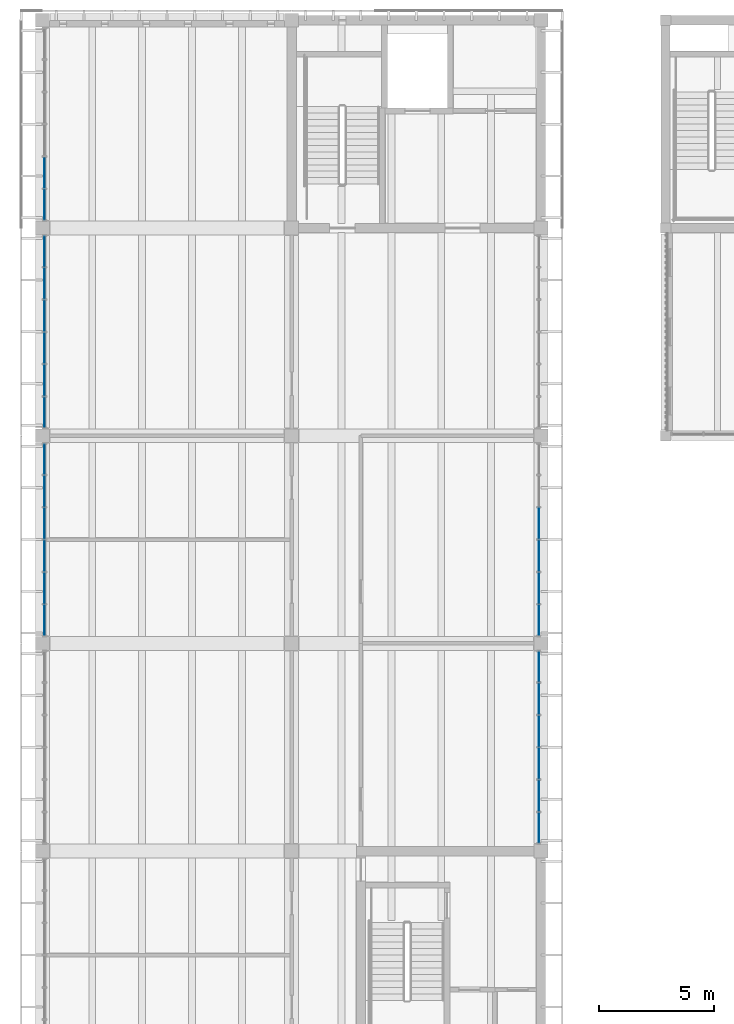
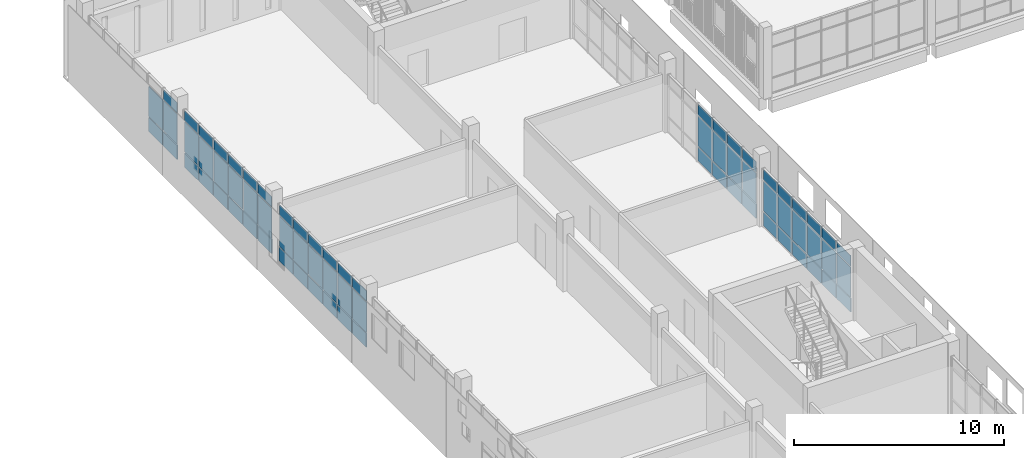
# One storey, part 43 of 88: 71 plates, 5 elements without a shape of their own.
"""IFC4 building model written with IfcOpenShell, lengths in metres."""

from ifc_helpers import new_model, si_unit, direction, frame, origin, origin_2d, place, context, subcontext, project, spatial, rectangle, extrude, material, layer, layer_set, type_object, element, aggregate, save


model = new_model("IFC4")

# Units and contexts
model_context = context("Model", 3, precision=1e-05, world=origin(), true_north=direction((0.0, 1.0)))
body_context = subcontext(model_context, "Body", "Model", "MODEL_VIEW")
ifc_project = project(units=[si_unit("LENGTHUNIT", "METRE"), si_unit("AREAUNIT", "SQUARE_METRE"), si_unit("VOLUMEUNIT", "CUBIC_METRE"), si_unit("PLANEANGLEUNIT", "RADIAN"), si_unit("MASSUNIT", "GRAM", prefix="KILO")], contexts=[model_context])

# Site, building, storey
site_placement = place(None, origin())
site = spatial("IfcSite", under=ifc_project, at=site_placement, CompositionType="ELEMENT")
building_placement = place(site_placement, origin())
building = spatial("IfcBuilding", under=site, at=building_placement, Name="Merrow Basin Faculty of Sciences", CompositionType="ELEMENT")
storey_placement = place(building_placement, frame((0.0, 0.0, 9.0)))
storey = spatial("IfcBuildingStorey", under=building, at=storey_placement, Name="L02", CompositionType="ELEMENT", Elevation=9.0)

# Curtain wall, plates
ifc_material_1 = material(Name="Aluminium alloy 6063", Category="aluminium")
curtain_wall_type = type_object("IfcCurtainWallType", Name="Bar unitised curtain wall 180", PredefinedType="NOTDEFINED", material=ifc_material_1)
curtain_wall_1_placement = place(storey_placement, origin())
curtain_wall_1 = element("IfcCurtainWall", 1, at=curtain_wall_1_placement, inside=storey, type_object=curtain_wall_type, Name="West curtain wall L02 5", PredefinedType="NOTDEFINED")
ifc_material_2 = material(Name="Insulated aluminium spandrel panel", Category="aluminium")
ifc_layer_1 = layer(ifc_material_2, 0.052001953125)
ifc_layer_set_1 = layer_set([ifc_layer_1], Name="Insulated spandrel panel 52")
plate_type_1 = type_object("IfcPlateType", Name="Insulated spandrel panel 52", PredefinedType="CURTAIN_PANEL", material=ifc_layer_set_1)
plate_1_placement = place(storey_placement, frame((0.090087890625, 107.014892578125, 0.06005859375), z_axis=(0.0, 0.0, 1.0), x_axis=(0.0, 1.0, 0.0)))
plate_1 = element("IfcPlate", 2, at=plate_1_placement, type_object=plate_type_1, Name="CW1 panel 1.1", PredefinedType="CURTAIN_PANEL", context=body_context, shape_type="SweptSolid", body=[
    extrude(rectangle(XDim=1.31005859375, YDim=0.052001953125, at=origin_2d()), origin(), (0.0, 0.0, 1.0), 0.81005859375),
])
plate_2_placement = place(storey_placement, frame((0.090087890625, 108.39990234375, 0.06005859375), z_axis=(0.0, 0.0, 1.0), x_axis=(0.0, 1.0, 0.0)))
plate_2 = element("IfcPlate", 3, at=plate_2_placement, type_object=plate_type_1, Name="CW1 panel 2.1", PredefinedType="CURTAIN_PANEL", context=body_context, shape_type="SweptSolid", body=[
    extrude(rectangle(XDim=1.340087890625, YDim=0.052001953125, at=origin_2d()), origin(), (0.0, 0.0, 1.0), 0.81005859375),
])
plate_3_placement = place(storey_placement, frame((0.090087890625, 109.800048828125, 0.06005859375), z_axis=(0.0, 0.0, 1.0), x_axis=(0.0, 1.0, 0.0)))
plate_3 = element("IfcPlate", 4, at=plate_3_placement, type_object=plate_type_1, Name="CW1 panel 3.1", PredefinedType="CURTAIN_PANEL", context=body_context, shape_type="SweptSolid", body=[
    extrude(rectangle(XDim=1.340087890625, YDim=0.052001953125, at=origin_2d()), origin(), (0.0, 0.0, 1.0), 0.81005859375),
])
plate_4_placement = place(storey_placement, frame((0.090087890625, 111.199951171875, 0.06005859375), z_axis=(0.0, 0.0, 1.0), x_axis=(0.0, 1.0, 0.0)))
plate_4 = element("IfcPlate", 5, at=plate_4_placement, type_object=plate_type_1, Name="CW1 panel 4.1", PredefinedType="CURTAIN_PANEL", context=body_context, shape_type="SweptSolid", body=[
    extrude(rectangle(XDim=1.340087890625, YDim=0.052001953125, at=origin_2d()), origin(), (0.0, 0.0, 1.0), 0.81005859375),
])
plate_5_placement = place(storey_placement, frame((0.090087890625, 112.60009765625, 0.06005859375), z_axis=(0.0, 0.0, 1.0), x_axis=(0.0, 1.0, 0.0)))
plate_5 = element("IfcPlate", 6, at=plate_5_placement, type_object=plate_type_1, Name="CW1 panel 5.1", PredefinedType="CURTAIN_PANEL", context=body_context, shape_type="SweptSolid", body=[
    extrude(rectangle(XDim=1.340087890625, YDim=0.052001953125, at=origin_2d()), origin(), (0.0, 0.0, 1.0), 0.81005859375),
])
plate_6_placement = place(storey_placement, frame((0.090087890625, 113.985107421875, 0.06005859375), z_axis=(0.0, 0.0, 1.0), x_axis=(0.0, 1.0, 0.0)))
plate_6 = element("IfcPlate", 7, at=plate_6_placement, type_object=plate_type_1, Name="CW1 panel 6.1", PredefinedType="CURTAIN_PANEL", context=body_context, shape_type="SweptSolid", body=[
    extrude(rectangle(XDim=1.31005859375, YDim=0.052001953125, at=origin_2d()), origin(), (0.0, 0.0, 1.0), 0.81005859375),
])

curtain_wall_2_placement = place(storey_placement, origin())
curtain_wall_2 = element("IfcCurtainWall", 8, at=curtain_wall_2_placement, inside=storey, type_object=curtain_wall_type, Name="West curtain wall L02 6", PredefinedType="NOTDEFINED")
plate_7_placement = place(storey_placement, frame((0.090087890625, 116.014892578125, 0.06005859375), z_axis=(0.0, 0.0, 1.0), x_axis=(0.0, 1.0, 0.0)))
plate_7 = element("IfcPlate", 9, at=plate_7_placement, type_object=plate_type_1, Name="CW1 panel 1.1", PredefinedType="CURTAIN_PANEL", context=body_context, shape_type="SweptSolid", body=[
    extrude(rectangle(XDim=1.31005859375, YDim=0.052001953125, at=origin_2d()), origin(), (0.0, 0.0, 1.0), 0.81005859375),
])
plate_8_placement = place(storey_placement, frame((0.090087890625, 117.39990234375, 0.06005859375), z_axis=(0.0, 0.0, 1.0), x_axis=(0.0, 1.0, 0.0)))
plate_8 = element("IfcPlate", 10, at=plate_8_placement, type_object=plate_type_1, Name="CW1 panel 2.1", PredefinedType="CURTAIN_PANEL", context=body_context, shape_type="SweptSolid", body=[
    extrude(rectangle(XDim=1.340087890625, YDim=0.052001953125, at=origin_2d()), origin(), (0.0, 0.0, 1.0), 0.81005859375),
])
plate_9_placement = place(storey_placement, frame((0.090087890625, 118.800048828125, 0.06005859375), z_axis=(0.0, 0.0, 1.0), x_axis=(0.0, 1.0, 0.0)))
plate_9 = element("IfcPlate", 11, at=plate_9_placement, type_object=plate_type_1, Name="CW1 panel 3.1", PredefinedType="CURTAIN_PANEL", context=body_context, shape_type="SweptSolid", body=[
    extrude(rectangle(XDim=1.340087890625, YDim=0.052001953125, at=origin_2d()), origin(), (0.0, 0.0, 1.0), 0.81005859375),
])
plate_10_placement = place(storey_placement, frame((0.090087890625, 120.199951171875, 0.06005859375), z_axis=(0.0, 0.0, 1.0), x_axis=(0.0, 1.0, 0.0)))
plate_10 = element("IfcPlate", 12, at=plate_10_placement, type_object=plate_type_1, Name="CW1 panel 4.1", PredefinedType="CURTAIN_PANEL", context=body_context, shape_type="SweptSolid", body=[
    extrude(rectangle(XDim=1.340087890625, YDim=0.052001953125, at=origin_2d()), origin(), (0.0, 0.0, 1.0), 0.81005859375),
])
plate_11_placement = place(storey_placement, frame((0.090087890625, 121.60009765625, 0.06005859375), z_axis=(0.0, 0.0, 1.0), x_axis=(0.0, 1.0, 0.0)))
plate_11 = element("IfcPlate", 13, at=plate_11_placement, type_object=plate_type_1, Name="CW1 panel 5.1", PredefinedType="CURTAIN_PANEL", context=body_context, shape_type="SweptSolid", body=[
    extrude(rectangle(XDim=1.340087890625, YDim=0.052001953125, at=origin_2d()), origin(), (0.0, 0.0, 1.0), 0.81005859375),
])
plate_12_placement = place(storey_placement, frame((0.090087890625, 122.985107421875, 0.06005859375), z_axis=(0.0, 0.0, 1.0), x_axis=(0.0, 1.0, 0.0)))
plate_12 = element("IfcPlate", 14, at=plate_12_placement, type_object=plate_type_1, Name="CW1 panel 6.1", PredefinedType="CURTAIN_PANEL", context=body_context, shape_type="SweptSolid", body=[
    extrude(rectangle(XDim=1.31005859375, YDim=0.052001953125, at=origin_2d()), origin(), (0.0, 0.0, 1.0), 0.81005859375),
])

curtain_wall_3_placement = place(storey_placement, origin())
curtain_wall_3 = element("IfcCurtainWall", 15, at=curtain_wall_3_placement, inside=storey, type_object=curtain_wall_type, Name="West curtain wall L02 7", PredefinedType="NOTDEFINED")
plate_13_placement = place(storey_placement, frame((0.090087890625, 125.014892578125, 0.06005859375), z_axis=(0.0, 0.0, 1.0), x_axis=(0.0, 1.0, 0.0)))
plate_13 = element("IfcPlate", 16, at=plate_13_placement, type_object=plate_type_1, Name="CW1 panel 1.1", PredefinedType="CURTAIN_PANEL", context=body_context, shape_type="SweptSolid", body=[
    extrude(rectangle(XDim=1.31005859375, YDim=0.052001953125, at=origin_2d()), origin(), (0.0, 0.0, 1.0), 0.81005859375),
])
plate_14_placement = place(storey_placement, frame((0.090087890625, 126.39990234375, 0.06005859375), z_axis=(0.0, 0.0, 1.0), x_axis=(0.0, 1.0, 0.0)))
plate_14 = element("IfcPlate", 17, at=plate_14_placement, type_object=plate_type_1, Name="CW1 panel 2.1", PredefinedType="CURTAIN_PANEL", context=body_context, shape_type="SweptSolid", body=[
    extrude(rectangle(XDim=1.340087890625, YDim=0.052001953125, at=origin_2d()), origin(), (0.0, 0.0, 1.0), 0.81005859375),
])

curtain_wall_4_placement = place(storey_placement, origin())
curtain_wall_4 = element("IfcCurtainWall", 18, at=curtain_wall_4_placement, inside=storey, type_object=curtain_wall_type, Name="East curtain wall L02 4", PredefinedType="NOTDEFINED")
plate_15_placement = place(storey_placement, frame((21.510009765625, 98.014892578125, 0.06005859375), z_axis=(0.0, 0.0, 1.0), x_axis=(0.0, 1.0, 0.0)))
plate_15 = element("IfcPlate", 19, at=plate_15_placement, type_object=plate_type_1, Name="CW1 panel 1.1", PredefinedType="CURTAIN_PANEL", context=body_context, shape_type="SweptSolid", body=[
    extrude(rectangle(XDim=1.31005859375, YDim=0.052001953125, at=origin_2d()), origin(), (0.0, 0.0, 1.0), 0.81005859375),
])
plate_16_placement = place(storey_placement, frame((21.510009765625, 99.39990234375, 0.06005859375), z_axis=(0.0, 0.0, 1.0), x_axis=(0.0, 1.0, 0.0)))
plate_16 = element("IfcPlate", 20, at=plate_16_placement, type_object=plate_type_1, Name="CW1 panel 2.1", PredefinedType="CURTAIN_PANEL", context=body_context, shape_type="SweptSolid", body=[
    extrude(rectangle(XDim=1.340087890625, YDim=0.052001953125, at=origin_2d()), origin(), (0.0, 0.0, 1.0), 0.81005859375),
])
plate_17_placement = place(storey_placement, frame((21.510009765625, 100.800048828125, 0.06005859375), z_axis=(0.0, 0.0, 1.0), x_axis=(0.0, 1.0, 0.0)))
plate_17 = element("IfcPlate", 21, at=plate_17_placement, type_object=plate_type_1, Name="CW1 panel 3.1", PredefinedType="CURTAIN_PANEL", context=body_context, shape_type="SweptSolid", body=[
    extrude(rectangle(XDim=1.340087890625, YDim=0.052001953125, at=origin_2d()), origin(), (0.0, 0.0, 1.0), 0.81005859375),
])
plate_18_placement = place(storey_placement, frame((21.510009765625, 102.199951171875, 0.06005859375), z_axis=(0.0, 0.0, 1.0), x_axis=(0.0, 1.0, 0.0)))
plate_18 = element("IfcPlate", 22, at=plate_18_placement, type_object=plate_type_1, Name="CW1 panel 4.1", PredefinedType="CURTAIN_PANEL", context=body_context, shape_type="SweptSolid", body=[
    extrude(rectangle(XDim=1.340087890625, YDim=0.052001953125, at=origin_2d()), origin(), (0.0, 0.0, 1.0), 0.81005859375),
])
plate_19_placement = place(storey_placement, frame((21.510009765625, 103.60009765625, 0.06005859375), z_axis=(0.0, 0.0, 1.0), x_axis=(0.0, 1.0, 0.0)))
plate_19 = element("IfcPlate", 23, at=plate_19_placement, type_object=plate_type_1, Name="CW1 panel 5.1", PredefinedType="CURTAIN_PANEL", context=body_context, shape_type="SweptSolid", body=[
    extrude(rectangle(XDim=1.340087890625, YDim=0.052001953125, at=origin_2d()), origin(), (0.0, 0.0, 1.0), 0.81005859375),
])
plate_20_placement = place(storey_placement, frame((21.510009765625, 104.985107421875, 0.06005859375), z_axis=(0.0, 0.0, 1.0), x_axis=(0.0, 1.0, 0.0)))
plate_20 = element("IfcPlate", 24, at=plate_20_placement, type_object=plate_type_1, Name="CW1 panel 6.1", PredefinedType="CURTAIN_PANEL", context=body_context, shape_type="SweptSolid", body=[
    extrude(rectangle(XDim=1.31005859375, YDim=0.052001953125, at=origin_2d()), origin(), (0.0, 0.0, 1.0), 0.81005859375),
])

curtain_wall_5_placement = place(storey_placement, origin())
curtain_wall_5 = element("IfcCurtainWall", 25, at=curtain_wall_5_placement, inside=storey, type_object=curtain_wall_type, Name="East curtain wall L02 5", PredefinedType="NOTDEFINED")
plate_21_placement = place(storey_placement, frame((21.510009765625, 107.014892578125, 0.06005859375), z_axis=(0.0, 0.0, 1.0), x_axis=(0.0, 1.0, 0.0)))
plate_21 = element("IfcPlate", 26, at=plate_21_placement, type_object=plate_type_1, Name="CW1 panel 1.1", PredefinedType="CURTAIN_PANEL", context=body_context, shape_type="SweptSolid", body=[
    extrude(rectangle(XDim=1.31005859375, YDim=0.052001953125, at=origin_2d()), origin(), (0.0, 0.0, 1.0), 0.81005859375),
])
plate_22_placement = place(storey_placement, frame((21.510009765625, 108.39990234375, 0.06005859375), z_axis=(0.0, 0.0, 1.0), x_axis=(0.0, 1.0, 0.0)))
plate_22 = element("IfcPlate", 27, at=plate_22_placement, type_object=plate_type_1, Name="CW1 panel 2.1", PredefinedType="CURTAIN_PANEL", context=body_context, shape_type="SweptSolid", body=[
    extrude(rectangle(XDim=1.340087890625, YDim=0.052001953125, at=origin_2d()), origin(), (0.0, 0.0, 1.0), 0.81005859375),
])
plate_23_placement = place(storey_placement, frame((21.510009765625, 109.800048828125, 0.06005859375), z_axis=(0.0, 0.0, 1.0), x_axis=(0.0, 1.0, 0.0)))
plate_23 = element("IfcPlate", 28, at=plate_23_placement, type_object=plate_type_1, Name="CW1 panel 3.1", PredefinedType="CURTAIN_PANEL", context=body_context, shape_type="SweptSolid", body=[
    extrude(rectangle(XDim=1.340087890625, YDim=0.052001953125, at=origin_2d()), origin(), (0.0, 0.0, 1.0), 0.81005859375),
])
plate_24_placement = place(storey_placement, frame((21.510009765625, 111.199951171875, 0.06005859375), z_axis=(0.0, 0.0, 1.0), x_axis=(0.0, 1.0, 0.0)))
plate_24 = element("IfcPlate", 29, at=plate_24_placement, type_object=plate_type_1, Name="CW1 panel 4.1", PredefinedType="CURTAIN_PANEL", context=body_context, shape_type="SweptSolid", body=[
    extrude(rectangle(XDim=1.340087890625, YDim=0.052001953125, at=origin_2d()), origin(), (0.0, 0.0, 1.0), 0.81005859375),
])

# Plate
ifc_material_3 = material(Name="Low-E double glazing", Category="glass")
ifc_layer_2 = layer(ifc_material_3, 0.028076171875)
ifc_layer_set_2 = layer_set([ifc_layer_2], Name="Low-E double glazed panel 28")
plate_type_2 = type_object("IfcPlateType", Name="Low-E double glazed panel 28", PredefinedType="CURTAIN_PANEL", material=ifc_layer_set_2)
plate_25_placement = place(storey_placement, frame((0.090087890625, 107.014892578125, 0.93017578125), z_axis=(0.0, 0.0, 1.0), x_axis=(0.0, 1.0, 0.0)))
plate_25 = element("IfcPlate", 30, at=plate_25_placement, type_object=plate_type_2, Name="CW1 panel 1.2", PredefinedType="CURTAIN_PANEL", context=body_context, shape_type="SweptSolid", body=[
    extrude(rectangle(XDim=1.31005859375, YDim=0.028076171875, at=origin_2d()), origin(), (0.0, 0.0, 1.0), 1.739990234375),
])

plate_26_placement = place(storey_placement, frame((0.090087890625, 107.014892578125, 2.72998046875), z_axis=(0.0, 0.0, 1.0), x_axis=(0.0, 1.0, 0.0)))
plate_26 = element("IfcPlate", 31, at=plate_26_placement, type_object=plate_type_2, Name="CW1 panel 1.3", PredefinedType="CURTAIN_PANEL", context=body_context, shape_type="SweptSolid", body=[
    extrude(rectangle(XDim=1.31005859375, YDim=0.028076171875, at=origin_2d()), origin(), (0.0, 0.0, 1.0), 0.610107421875),
])

plate_27_placement = place(storey_placement, frame((0.090087890625, 108.39990234375, 0.93017578125), z_axis=(0.0, 0.0, 1.0), x_axis=(0.0, 1.0, 0.0)))
plate_27 = element("IfcPlate", 32, at=plate_27_placement, type_object=plate_type_2, Name="CW1 panel 2.2", PredefinedType="CURTAIN_PANEL", context=body_context, shape_type="SweptSolid", body=[
    extrude(rectangle(XDim=1.340087890625, YDim=0.028076171875, at=origin_2d()), origin(), (0.0, 0.0, 1.0), 1.739990234375),
])

plate_28_placement = place(storey_placement, frame((0.090087890625, 108.39990234375, 2.72998046875), z_axis=(0.0, 0.0, 1.0), x_axis=(0.0, 1.0, 0.0)))
plate_28 = element("IfcPlate", 33, at=plate_28_placement, type_object=plate_type_2, Name="CW1 panel 2.3", PredefinedType="CURTAIN_PANEL", context=body_context, shape_type="SweptSolid", body=[
    extrude(rectangle(XDim=1.340087890625, YDim=0.028076171875, at=origin_2d()), origin(), (0.0, 0.0, 1.0), 0.610107421875),
])

plate_29_placement = place(storey_placement, frame((0.090087890625, 109.800048828125, 0.93017578125), z_axis=(0.0, 0.0, 1.0), x_axis=(0.0, 1.0, 0.0)))
plate_29 = element("IfcPlate", 34, at=plate_29_placement, type_object=plate_type_2, Name="CW1 panel 3.2", PredefinedType="CURTAIN_PANEL", context=body_context, shape_type="SweptSolid", body=[
    extrude(rectangle(XDim=1.340087890625, YDim=0.028076171875, at=origin_2d()), origin(), (0.0, 0.0, 1.0), 1.739990234375),
])

plate_30_placement = place(storey_placement, frame((0.090087890625, 109.800048828125, 2.72998046875), z_axis=(0.0, 0.0, 1.0), x_axis=(0.0, 1.0, 0.0)))
plate_30 = element("IfcPlate", 35, at=plate_30_placement, type_object=plate_type_2, Name="CW1 panel 3.3", PredefinedType="CURTAIN_PANEL", context=body_context, shape_type="SweptSolid", body=[
    extrude(rectangle(XDim=1.340087890625, YDim=0.028076171875, at=origin_2d()), origin(), (0.0, 0.0, 1.0), 0.610107421875),
])

plate_31_placement = place(storey_placement, frame((0.090087890625, 111.199951171875, 0.93017578125), z_axis=(0.0, 0.0, 1.0), x_axis=(0.0, 1.0, 0.0)))
plate_31 = element("IfcPlate", 36, at=plate_31_placement, type_object=plate_type_2, Name="CW1 panel 4.2", PredefinedType="CURTAIN_PANEL", context=body_context, shape_type="SweptSolid", body=[
    extrude(rectangle(XDim=1.340087890625, YDim=0.028076171875, at=origin_2d()), origin(), (0.0, 0.0, 1.0), 1.739990234375),
])

plate_32_placement = place(storey_placement, frame((0.090087890625, 111.199951171875, 2.72998046875), z_axis=(0.0, 0.0, 1.0), x_axis=(0.0, 1.0, 0.0)))
plate_32 = element("IfcPlate", 37, at=plate_32_placement, type_object=plate_type_2, Name="CW1 panel 4.3", PredefinedType="CURTAIN_PANEL", context=body_context, shape_type="SweptSolid", body=[
    extrude(rectangle(XDim=1.340087890625, YDim=0.028076171875, at=origin_2d()), origin(), (0.0, 0.0, 1.0), 0.610107421875),
])

plate_33_placement = place(storey_placement, frame((0.090087890625, 112.60009765625, 0.93017578125), z_axis=(0.0, 0.0, 1.0), x_axis=(0.0, 1.0, 0.0)))
plate_33 = element("IfcPlate", 38, at=plate_33_placement, type_object=plate_type_2, Name="CW1 panel 5.2", PredefinedType="CURTAIN_PANEL", context=body_context, shape_type="SweptSolid", body=[
    extrude(rectangle(XDim=1.340087890625, YDim=0.028076171875, at=origin_2d()), origin(), (0.0, 0.0, 1.0), 1.739990234375),
])

plate_34_placement = place(storey_placement, frame((0.090087890625, 112.60009765625, 2.72998046875), z_axis=(0.0, 0.0, 1.0), x_axis=(0.0, 1.0, 0.0)))
plate_34 = element("IfcPlate", 39, at=plate_34_placement, type_object=plate_type_2, Name="CW1 panel 5.3", PredefinedType="CURTAIN_PANEL", context=body_context, shape_type="SweptSolid", body=[
    extrude(rectangle(XDim=1.340087890625, YDim=0.028076171875, at=origin_2d()), origin(), (0.0, 0.0, 1.0), 0.610107421875),
])

plate_35_placement = place(storey_placement, frame((0.090087890625, 113.985107421875, 0.93017578125), z_axis=(0.0, 0.0, 1.0), x_axis=(0.0, 1.0, 0.0)))
plate_35 = element("IfcPlate", 40, at=plate_35_placement, type_object=plate_type_2, Name="CW1 panel 6.2", PredefinedType="CURTAIN_PANEL", context=body_context, shape_type="SweptSolid", body=[
    extrude(rectangle(XDim=1.31005859375, YDim=0.028076171875, at=origin_2d()), origin(), (0.0, 0.0, 1.0), 1.739990234375),
])

plate_36_placement = place(storey_placement, frame((0.090087890625, 113.985107421875, 2.72998046875), z_axis=(0.0, 0.0, 1.0), x_axis=(0.0, 1.0, 0.0)))
plate_36 = element("IfcPlate", 41, at=plate_36_placement, type_object=plate_type_2, Name="CW1 panel 6.3", PredefinedType="CURTAIN_PANEL", context=body_context, shape_type="SweptSolid", body=[
    extrude(rectangle(XDim=1.31005859375, YDim=0.028076171875, at=origin_2d()), origin(), (0.0, 0.0, 1.0), 0.610107421875),
])

aggregate(curtain_wall_1, [plate_1, plate_25, plate_26, plate_2, plate_27, plate_28, plate_3, plate_29, plate_30, plate_4, plate_31, plate_32, plate_5, plate_33, plate_34, plate_6, plate_35, plate_36])

plate_37_placement = place(storey_placement, frame((0.090087890625, 116.014892578125, 0.93017578125), z_axis=(0.0, 0.0, 1.0), x_axis=(0.0, 1.0, 0.0)))
plate_37 = element("IfcPlate", 42, at=plate_37_placement, type_object=plate_type_2, Name="CW1 panel 1.2", PredefinedType="CURTAIN_PANEL", context=body_context, shape_type="SweptSolid", body=[
    extrude(rectangle(XDim=1.31005859375, YDim=0.028076171875, at=origin_2d()), origin(), (0.0, 0.0, 1.0), 1.739990234375),
])

plate_38_placement = place(storey_placement, frame((0.090087890625, 116.014892578125, 2.72998046875), z_axis=(0.0, 0.0, 1.0), x_axis=(0.0, 1.0, 0.0)))
plate_38 = element("IfcPlate", 43, at=plate_38_placement, type_object=plate_type_2, Name="CW1 panel 1.3", PredefinedType="CURTAIN_PANEL", context=body_context, shape_type="SweptSolid", body=[
    extrude(rectangle(XDim=1.31005859375, YDim=0.028076171875, at=origin_2d()), origin(), (0.0, 0.0, 1.0), 0.610107421875),
])

plate_39_placement = place(storey_placement, frame((0.090087890625, 117.39990234375, 0.93017578125), z_axis=(0.0, 0.0, 1.0), x_axis=(0.0, 1.0, 0.0)))
plate_39 = element("IfcPlate", 44, at=plate_39_placement, type_object=plate_type_2, Name="CW1 panel 2.2", PredefinedType="CURTAIN_PANEL", context=body_context, shape_type="SweptSolid", body=[
    extrude(rectangle(XDim=1.340087890625, YDim=0.028076171875, at=origin_2d()), origin(), (0.0, 0.0, 1.0), 1.739990234375),
])

plate_40_placement = place(storey_placement, frame((0.090087890625, 117.39990234375, 2.72998046875), z_axis=(0.0, 0.0, 1.0), x_axis=(0.0, 1.0, 0.0)))
plate_40 = element("IfcPlate", 45, at=plate_40_placement, type_object=plate_type_2, Name="CW1 panel 2.3", PredefinedType="CURTAIN_PANEL", context=body_context, shape_type="SweptSolid", body=[
    extrude(rectangle(XDim=1.340087890625, YDim=0.028076171875, at=origin_2d()), origin(), (0.0, 0.0, 1.0), 0.610107421875),
])

plate_41_placement = place(storey_placement, frame((0.090087890625, 118.800048828125, 0.93017578125), z_axis=(0.0, 0.0, 1.0), x_axis=(0.0, 1.0, 0.0)))
plate_41 = element("IfcPlate", 46, at=plate_41_placement, type_object=plate_type_2, Name="CW1 panel 3.2", PredefinedType="CURTAIN_PANEL", context=body_context, shape_type="SweptSolid", body=[
    extrude(rectangle(XDim=1.340087890625, YDim=0.028076171875, at=origin_2d()), origin(), (0.0, 0.0, 1.0), 1.739990234375),
])

plate_42_placement = place(storey_placement, frame((0.090087890625, 118.800048828125, 2.72998046875), z_axis=(0.0, 0.0, 1.0), x_axis=(0.0, 1.0, 0.0)))
plate_42 = element("IfcPlate", 47, at=plate_42_placement, type_object=plate_type_2, Name="CW1 panel 3.3", PredefinedType="CURTAIN_PANEL", context=body_context, shape_type="SweptSolid", body=[
    extrude(rectangle(XDim=1.340087890625, YDim=0.028076171875, at=origin_2d()), origin(), (0.0, 0.0, 1.0), 0.610107421875),
])

plate_43_placement = place(storey_placement, frame((0.090087890625, 120.199951171875, 0.93017578125), z_axis=(0.0, 0.0, 1.0), x_axis=(0.0, 1.0, 0.0)))
plate_43 = element("IfcPlate", 48, at=plate_43_placement, type_object=plate_type_2, Name="CW1 panel 4.2", PredefinedType="CURTAIN_PANEL", context=body_context, shape_type="SweptSolid", body=[
    extrude(rectangle(XDim=1.340087890625, YDim=0.028076171875, at=origin_2d()), origin(), (0.0, 0.0, 1.0), 1.739990234375),
])

plate_44_placement = place(storey_placement, frame((0.090087890625, 120.199951171875, 2.72998046875), z_axis=(0.0, 0.0, 1.0), x_axis=(0.0, 1.0, 0.0)))
plate_44 = element("IfcPlate", 49, at=plate_44_placement, type_object=plate_type_2, Name="CW1 panel 4.3", PredefinedType="CURTAIN_PANEL", context=body_context, shape_type="SweptSolid", body=[
    extrude(rectangle(XDim=1.340087890625, YDim=0.028076171875, at=origin_2d()), origin(), (0.0, 0.0, 1.0), 0.610107421875),
])

plate_45_placement = place(storey_placement, frame((0.090087890625, 121.60009765625, 0.93017578125), z_axis=(0.0, 0.0, 1.0), x_axis=(0.0, 1.0, 0.0)))
plate_45 = element("IfcPlate", 50, at=plate_45_placement, type_object=plate_type_2, Name="CW1 panel 5.2", PredefinedType="CURTAIN_PANEL", context=body_context, shape_type="SweptSolid", body=[
    extrude(rectangle(XDim=1.340087890625, YDim=0.028076171875, at=origin_2d()), origin(), (0.0, 0.0, 1.0), 1.739990234375),
])

plate_46_placement = place(storey_placement, frame((0.090087890625, 121.60009765625, 2.72998046875), z_axis=(0.0, 0.0, 1.0), x_axis=(0.0, 1.0, 0.0)))
plate_46 = element("IfcPlate", 51, at=plate_46_placement, type_object=plate_type_2, Name="CW1 panel 5.3", PredefinedType="CURTAIN_PANEL", context=body_context, shape_type="SweptSolid", body=[
    extrude(rectangle(XDim=1.340087890625, YDim=0.028076171875, at=origin_2d()), origin(), (0.0, 0.0, 1.0), 0.610107421875),
])

plate_47_placement = place(storey_placement, frame((0.090087890625, 122.985107421875, 0.93017578125), z_axis=(0.0, 0.0, 1.0), x_axis=(0.0, 1.0, 0.0)))
plate_47 = element("IfcPlate", 52, at=plate_47_placement, type_object=plate_type_2, Name="CW1 panel 6.2", PredefinedType="CURTAIN_PANEL", context=body_context, shape_type="SweptSolid", body=[
    extrude(rectangle(XDim=1.31005859375, YDim=0.028076171875, at=origin_2d()), origin(), (0.0, 0.0, 1.0), 1.739990234375),
])

plate_48_placement = place(storey_placement, frame((0.090087890625, 122.985107421875, 2.72998046875), z_axis=(0.0, 0.0, 1.0), x_axis=(0.0, 1.0, 0.0)))
plate_48 = element("IfcPlate", 53, at=plate_48_placement, type_object=plate_type_2, Name="CW1 panel 6.3", PredefinedType="CURTAIN_PANEL", context=body_context, shape_type="SweptSolid", body=[
    extrude(rectangle(XDim=1.31005859375, YDim=0.028076171875, at=origin_2d()), origin(), (0.0, 0.0, 1.0), 0.610107421875),
])

aggregate(curtain_wall_2, [plate_7, plate_37, plate_38, plate_8, plate_39, plate_40, plate_9, plate_41, plate_42, plate_10, plate_43, plate_44, plate_11, plate_45, plate_46, plate_12, plate_47, plate_48])

plate_49_placement = place(storey_placement, frame((0.090087890625, 125.014892578125, 0.93017578125), z_axis=(0.0, 0.0, 1.0), x_axis=(0.0, 1.0, 0.0)))
plate_49 = element("IfcPlate", 54, at=plate_49_placement, type_object=plate_type_2, Name="CW1 panel 1.2", PredefinedType="CURTAIN_PANEL", context=body_context, shape_type="SweptSolid", body=[
    extrude(rectangle(XDim=1.31005859375, YDim=0.028076171875, at=origin_2d()), origin(), (0.0, 0.0, 1.0), 1.739990234375),
])

plate_50_placement = place(storey_placement, frame((0.090087890625, 125.014892578125, 2.72998046875), z_axis=(0.0, 0.0, 1.0), x_axis=(0.0, 1.0, 0.0)))
plate_50 = element("IfcPlate", 55, at=plate_50_placement, type_object=plate_type_2, Name="CW1 panel 1.3", PredefinedType="CURTAIN_PANEL", context=body_context, shape_type="SweptSolid", body=[
    extrude(rectangle(XDim=1.31005859375, YDim=0.028076171875, at=origin_2d()), origin(), (0.0, 0.0, 1.0), 0.610107421875),
])

plate_51_placement = place(storey_placement, frame((0.090087890625, 126.39990234375, 0.93017578125), z_axis=(0.0, 0.0, 1.0), x_axis=(0.0, 1.0, 0.0)))
plate_51 = element("IfcPlate", 56, at=plate_51_placement, type_object=plate_type_2, Name="CW1 panel 2.2", PredefinedType="CURTAIN_PANEL", context=body_context, shape_type="SweptSolid", body=[
    extrude(rectangle(XDim=1.340087890625, YDim=0.028076171875, at=origin_2d()), origin(), (0.0, 0.0, 1.0), 1.739990234375),
])

aggregate(curtain_wall_3, [plate_13, plate_49, plate_50, plate_14, plate_51])

plate_52_placement = place(storey_placement, frame((21.510009765625, 98.014892578125, 0.93017578125), z_axis=(0.0, 0.0, 1.0), x_axis=(0.0, 1.0, 0.0)))
plate_52 = element("IfcPlate", 57, at=plate_52_placement, type_object=plate_type_2, Name="CW1 panel 1.2", PredefinedType="CURTAIN_PANEL", context=body_context, shape_type="SweptSolid", body=[
    extrude(rectangle(XDim=1.31005859375, YDim=0.028076171875, at=origin_2d()), origin(), (0.0, 0.0, 1.0), 1.739990234375),
])

plate_53_placement = place(storey_placement, frame((21.510009765625, 98.014892578125, 2.72998046875), z_axis=(0.0, 0.0, 1.0), x_axis=(0.0, 1.0, 0.0)))
plate_53 = element("IfcPlate", 58, at=plate_53_placement, type_object=plate_type_2, Name="CW1 panel 1.3", PredefinedType="CURTAIN_PANEL", context=body_context, shape_type="SweptSolid", body=[
    extrude(rectangle(XDim=1.31005859375, YDim=0.028076171875, at=origin_2d()), origin(), (0.0, 0.0, 1.0), 0.610107421875),
])

plate_54_placement = place(storey_placement, frame((21.510009765625, 99.39990234375, 0.93017578125), z_axis=(0.0, 0.0, 1.0), x_axis=(0.0, 1.0, 0.0)))
plate_54 = element("IfcPlate", 59, at=plate_54_placement, type_object=plate_type_2, Name="CW1 panel 2.2", PredefinedType="CURTAIN_PANEL", context=body_context, shape_type="SweptSolid", body=[
    extrude(rectangle(XDim=1.340087890625, YDim=0.028076171875, at=origin_2d()), origin(), (0.0, 0.0, 1.0), 1.739990234375),
])

plate_55_placement = place(storey_placement, frame((21.510009765625, 99.39990234375, 2.72998046875), z_axis=(0.0, 0.0, 1.0), x_axis=(0.0, 1.0, 0.0)))
plate_55 = element("IfcPlate", 60, at=plate_55_placement, type_object=plate_type_2, Name="CW1 panel 2.3", PredefinedType="CURTAIN_PANEL", context=body_context, shape_type="SweptSolid", body=[
    extrude(rectangle(XDim=1.340087890625, YDim=0.028076171875, at=origin_2d()), origin(), (0.0, 0.0, 1.0), 0.610107421875),
])

plate_56_placement = place(storey_placement, frame((21.510009765625, 100.800048828125, 0.93017578125), z_axis=(0.0, 0.0, 1.0), x_axis=(0.0, 1.0, 0.0)))
plate_56 = element("IfcPlate", 61, at=plate_56_placement, type_object=plate_type_2, Name="CW1 panel 3.2", PredefinedType="CURTAIN_PANEL", context=body_context, shape_type="SweptSolid", body=[
    extrude(rectangle(XDim=1.340087890625, YDim=0.028076171875, at=origin_2d()), origin(), (0.0, 0.0, 1.0), 1.739990234375),
])

plate_57_placement = place(storey_placement, frame((21.510009765625, 100.800048828125, 2.72998046875), z_axis=(0.0, 0.0, 1.0), x_axis=(0.0, 1.0, 0.0)))
plate_57 = element("IfcPlate", 62, at=plate_57_placement, type_object=plate_type_2, Name="CW1 panel 3.3", PredefinedType="CURTAIN_PANEL", context=body_context, shape_type="SweptSolid", body=[
    extrude(rectangle(XDim=1.340087890625, YDim=0.028076171875, at=origin_2d()), origin(), (0.0, 0.0, 1.0), 0.610107421875),
])

plate_58_placement = place(storey_placement, frame((21.510009765625, 102.199951171875, 0.93017578125), z_axis=(0.0, 0.0, 1.0), x_axis=(0.0, 1.0, 0.0)))
plate_58 = element("IfcPlate", 63, at=plate_58_placement, type_object=plate_type_2, Name="CW1 panel 4.2", PredefinedType="CURTAIN_PANEL", context=body_context, shape_type="SweptSolid", body=[
    extrude(rectangle(XDim=1.340087890625, YDim=0.028076171875, at=origin_2d()), origin(), (0.0, 0.0, 1.0), 1.739990234375),
])

plate_59_placement = place(storey_placement, frame((21.510009765625, 102.199951171875, 2.72998046875), z_axis=(0.0, 0.0, 1.0), x_axis=(0.0, 1.0, 0.0)))
plate_59 = element("IfcPlate", 64, at=plate_59_placement, type_object=plate_type_2, Name="CW1 panel 4.3", PredefinedType="CURTAIN_PANEL", context=body_context, shape_type="SweptSolid", body=[
    extrude(rectangle(XDim=1.340087890625, YDim=0.028076171875, at=origin_2d()), origin(), (0.0, 0.0, 1.0), 0.610107421875),
])

plate_60_placement = place(storey_placement, frame((21.510009765625, 103.60009765625, 0.93017578125), z_axis=(0.0, 0.0, 1.0), x_axis=(0.0, 1.0, 0.0)))
plate_60 = element("IfcPlate", 65, at=plate_60_placement, type_object=plate_type_2, Name="CW1 panel 5.2", PredefinedType="CURTAIN_PANEL", context=body_context, shape_type="SweptSolid", body=[
    extrude(rectangle(XDim=1.340087890625, YDim=0.028076171875, at=origin_2d()), origin(), (0.0, 0.0, 1.0), 1.739990234375),
])

plate_61_placement = place(storey_placement, frame((21.510009765625, 103.60009765625, 2.72998046875), z_axis=(0.0, 0.0, 1.0), x_axis=(0.0, 1.0, 0.0)))
plate_61 = element("IfcPlate", 66, at=plate_61_placement, type_object=plate_type_2, Name="CW1 panel 5.3", PredefinedType="CURTAIN_PANEL", context=body_context, shape_type="SweptSolid", body=[
    extrude(rectangle(XDim=1.340087890625, YDim=0.028076171875, at=origin_2d()), origin(), (0.0, 0.0, 1.0), 0.610107421875),
])

plate_62_placement = place(storey_placement, frame((21.510009765625, 104.985107421875, 0.93017578125), z_axis=(0.0, 0.0, 1.0), x_axis=(0.0, 1.0, 0.0)))
plate_62 = element("IfcPlate", 67, at=plate_62_placement, type_object=plate_type_2, Name="CW1 panel 6.2", PredefinedType="CURTAIN_PANEL", context=body_context, shape_type="SweptSolid", body=[
    extrude(rectangle(XDim=1.31005859375, YDim=0.028076171875, at=origin_2d()), origin(), (0.0, 0.0, 1.0), 1.739990234375),
])

plate_63_placement = place(storey_placement, frame((21.510009765625, 104.985107421875, 2.72998046875), z_axis=(0.0, 0.0, 1.0), x_axis=(0.0, 1.0, 0.0)))
plate_63 = element("IfcPlate", 68, at=plate_63_placement, type_object=plate_type_2, Name="CW1 panel 6.3", PredefinedType="CURTAIN_PANEL", context=body_context, shape_type="SweptSolid", body=[
    extrude(rectangle(XDim=1.31005859375, YDim=0.028076171875, at=origin_2d()), origin(), (0.0, 0.0, 1.0), 0.610107421875),
])

aggregate(curtain_wall_4, [plate_15, plate_52, plate_53, plate_16, plate_54, plate_55, plate_17, plate_56, plate_57, plate_18, plate_58, plate_59, plate_19, plate_60, plate_61, plate_20, plate_62, plate_63])

plate_64_placement = place(storey_placement, frame((21.510009765625, 107.014892578125, 0.93017578125), z_axis=(0.0, 0.0, 1.0), x_axis=(0.0, 1.0, 0.0)))
plate_64 = element("IfcPlate", 69, at=plate_64_placement, type_object=plate_type_2, Name="CW1 panel 1.2", PredefinedType="CURTAIN_PANEL", context=body_context, shape_type="SweptSolid", body=[
    extrude(rectangle(XDim=1.31005859375, YDim=0.028076171875, at=origin_2d()), origin(), (0.0, 0.0, 1.0), 1.739990234375),
])

plate_65_placement = place(storey_placement, frame((21.510009765625, 107.014892578125, 2.72998046875), z_axis=(0.0, 0.0, 1.0), x_axis=(0.0, 1.0, 0.0)))
plate_65 = element("IfcPlate", 70, at=plate_65_placement, type_object=plate_type_2, Name="CW1 panel 1.3", PredefinedType="CURTAIN_PANEL", context=body_context, shape_type="SweptSolid", body=[
    extrude(rectangle(XDim=1.31005859375, YDim=0.028076171875, at=origin_2d()), origin(), (0.0, 0.0, 1.0), 0.610107421875),
])

plate_66_placement = place(storey_placement, frame((21.510009765625, 108.39990234375, 0.93017578125), z_axis=(0.0, 0.0, 1.0), x_axis=(0.0, 1.0, 0.0)))
plate_66 = element("IfcPlate", 71, at=plate_66_placement, type_object=plate_type_2, Name="CW1 panel 2.2", PredefinedType="CURTAIN_PANEL", context=body_context, shape_type="SweptSolid", body=[
    extrude(rectangle(XDim=1.340087890625, YDim=0.028076171875, at=origin_2d()), origin(), (0.0, 0.0, 1.0), 1.739990234375),
])

plate_67_placement = place(storey_placement, frame((21.510009765625, 108.39990234375, 2.72998046875), z_axis=(0.0, 0.0, 1.0), x_axis=(0.0, 1.0, 0.0)))
plate_67 = element("IfcPlate", 72, at=plate_67_placement, type_object=plate_type_2, Name="CW1 panel 2.3", PredefinedType="CURTAIN_PANEL", context=body_context, shape_type="SweptSolid", body=[
    extrude(rectangle(XDim=1.340087890625, YDim=0.028076171875, at=origin_2d()), origin(), (0.0, 0.0, 1.0), 0.610107421875),
])

plate_68_placement = place(storey_placement, frame((21.510009765625, 109.800048828125, 0.93017578125), z_axis=(0.0, 0.0, 1.0), x_axis=(0.0, 1.0, 0.0)))
plate_68 = element("IfcPlate", 73, at=plate_68_placement, type_object=plate_type_2, Name="CW1 panel 3.2", PredefinedType="CURTAIN_PANEL", context=body_context, shape_type="SweptSolid", body=[
    extrude(rectangle(XDim=1.340087890625, YDim=0.028076171875, at=origin_2d()), origin(), (0.0, 0.0, 1.0), 1.739990234375),
])

plate_69_placement = place(storey_placement, frame((21.510009765625, 109.800048828125, 2.72998046875), z_axis=(0.0, 0.0, 1.0), x_axis=(0.0, 1.0, 0.0)))
plate_69 = element("IfcPlate", 74, at=plate_69_placement, type_object=plate_type_2, Name="CW1 panel 3.3", PredefinedType="CURTAIN_PANEL", context=body_context, shape_type="SweptSolid", body=[
    extrude(rectangle(XDim=1.340087890625, YDim=0.028076171875, at=origin_2d()), origin(), (0.0, 0.0, 1.0), 0.610107421875),
])

plate_70_placement = place(storey_placement, frame((21.510009765625, 111.199951171875, 0.93017578125), z_axis=(0.0, 0.0, 1.0), x_axis=(0.0, 1.0, 0.0)))
plate_70 = element("IfcPlate", 75, at=plate_70_placement, type_object=plate_type_2, Name="CW1 panel 4.2", PredefinedType="CURTAIN_PANEL", context=body_context, shape_type="SweptSolid", body=[
    extrude(rectangle(XDim=1.340087890625, YDim=0.028076171875, at=origin_2d()), origin(), (0.0, 0.0, 1.0), 1.739990234375),
])

plate_71_placement = place(storey_placement, frame((21.510009765625, 111.199951171875, 2.72998046875), z_axis=(0.0, 0.0, 1.0), x_axis=(0.0, 1.0, 0.0)))
plate_71 = element("IfcPlate", 76, at=plate_71_placement, type_object=plate_type_2, Name="CW1 panel 4.3", PredefinedType="CURTAIN_PANEL", context=body_context, shape_type="SweptSolid", body=[
    extrude(rectangle(XDim=1.340087890625, YDim=0.028076171875, at=origin_2d()), origin(), (0.0, 0.0, 1.0), 0.610107421875),
])

aggregate(curtain_wall_5, [plate_21, plate_64, plate_65, plate_22, plate_66, plate_67, plate_23, plate_68, plate_69, plate_24, plate_70, plate_71])

save(model, "model.ifc")
